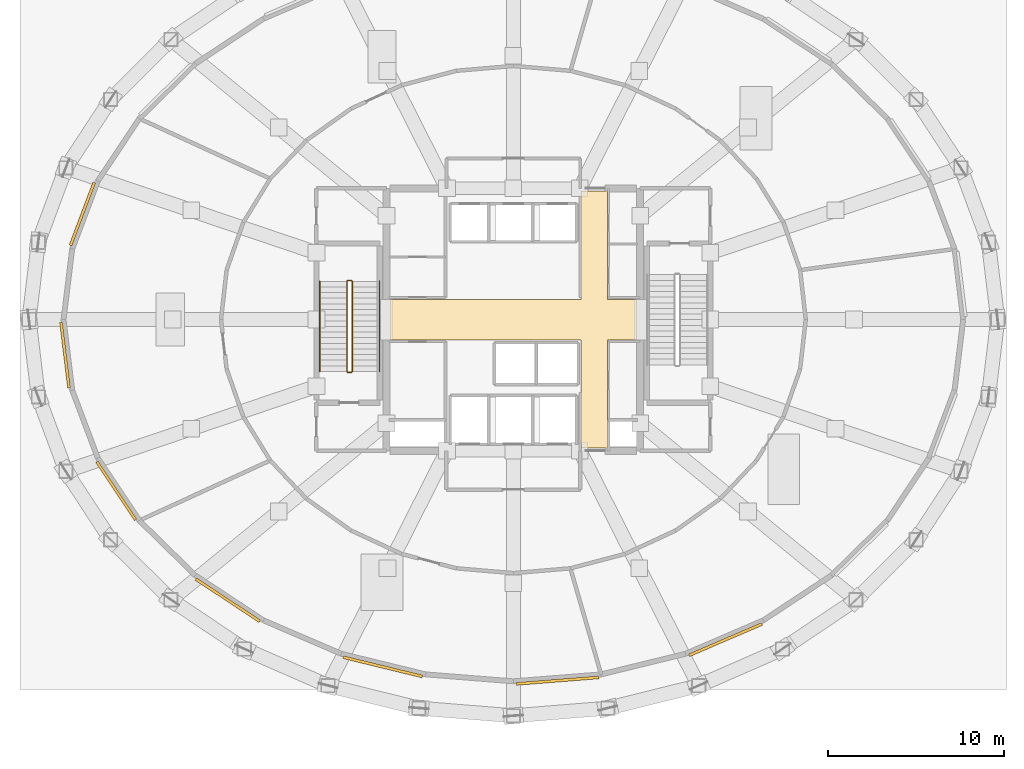
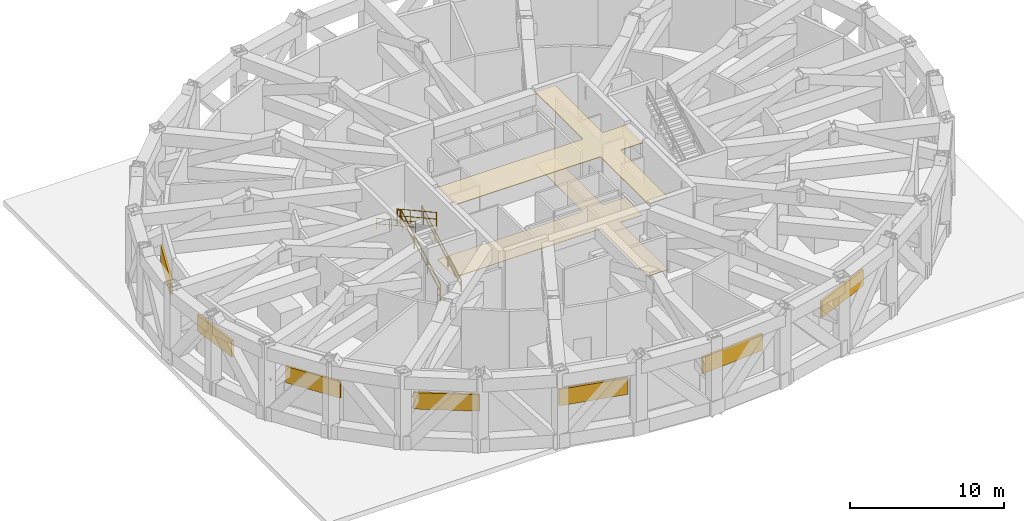
# One storey, part 9 of 12: 7 shading devices, 6 railings, 2 coverings.
"""IFC4 building model written with IfcOpenShell, lengths in metres."""

from ifc_helpers import new_model, si_unit, direction, frame, origin, origin_2d, place, context, subcontext, project, spatial, polyline, rectangle, circle, outline, extrude, material, layer, layer_set, type_object, element, save


model = new_model("IFC4")

# Units and contexts
model_context = context("Model", 3, precision=1e-05, world=origin(), true_north=direction((0.0, 1.0)))
body_context = subcontext(model_context, "Body", "Model", "MODEL_VIEW")
ifc_project = project(units=[si_unit("LENGTHUNIT", "METRE"), si_unit("AREAUNIT", "SQUARE_METRE"), si_unit("VOLUMEUNIT", "CUBIC_METRE"), si_unit("PLANEANGLEUNIT", "RADIAN"), si_unit("MASSUNIT", "GRAM", prefix="KILO")], contexts=[model_context])

# Site, building, storey
site_placement = place(None, origin())
site = spatial("IfcSite", under=ifc_project, at=site_placement, CompositionType="ELEMENT")
building_placement = place(site_placement, origin())
building = spatial("IfcBuilding", under=site, at=building_placement, Name="Veldorina Hangang Commons", CompositionType="ELEMENT")
storey_placement = place(building_placement, frame((0.0, 0.0, 24.39990234375)))
storey = spatial("IfcBuildingStorey", under=building, at=storey_placement, Name="L05", CompositionType="ELEMENT", Elevation=24.39990234375)

# Coverings
ifc_material_1 = material(Name="Mineral Fibre Acoustic Tile", Category="gypsum")
ifc_layer_1 = layer(ifc_material_1, 0.0400390625)
ifc_layer_set_1 = layer_set([ifc_layer_1], Name="Mineral Fibre Acoustic Tile")
covering_type_1 = type_object("IfcCoveringType", Name="COV-CEIL-AC60", PredefinedType="CEILING", material=ifc_layer_set_1)
covering_1_placement = place(storey_placement, frame((0.0, 0.0, 5.7001953125)))
element("IfcCovering", 1, at=covering_1_placement, inside=storey, type_object=covering_type_1, Name="L05 lobby suspended acoustic ceiling", PredefinedType="CEILING", context=body_context, shape_type="SweptSolid", body=[
    extrude(outline(polyline([(25.0, 22.85009765625), (35.85009765625, 22.85009765625), (35.85009765625, 16.699951171875), (37.35009765625, 16.699951171875), (37.35009765625, 22.85009765625), (39.0, 22.85009765625), (39.0, 25.14990234375), (37.35009765625, 25.14990234375), (37.35009765625, 31.300048828125), (35.85009765625, 31.300048828125), (35.85009765625, 25.14990234375), (25.0, 25.14990234375), (25.0, 22.85009765625)])), origin(), (0.0, 0.0, 1.0), 0.039794921875),
])
ifc_material_2 = material(Name="Stone Venetian Terrazzo", Category="masonry")
ifc_layer_2 = layer(ifc_material_2, 0.030029296875)
ifc_layer_set_2 = layer_set([ifc_layer_2], Name="Stone Venetian Terrazzo")
covering_type_2 = type_object("IfcCoveringType", Name="COV-FLR-TERZ", PredefinedType="FLOORING", material=ifc_layer_set_2)
covering_2_placement = place(storey_placement, origin())
element("IfcCovering", 2, at=covering_2_placement, inside=storey, type_object=covering_type_2, Name="L05 lobby terrazzo floor finish", PredefinedType="FLOORING", context=body_context, shape_type="SweptSolid", body=[
    extrude(outline(polyline([(25.0, 22.85009765625), (35.85009765625, 22.85009765625), (35.85009765625, 16.699951171875), (37.35009765625, 16.699951171875), (37.35009765625, 22.85009765625), (39.0, 22.85009765625), (39.0, 25.14990234375), (37.35009765625, 25.14990234375), (37.35009765625, 31.300048828125), (35.85009765625, 31.300048828125), (35.85009765625, 25.14990234375), (25.0, 25.14990234375), (25.0, 22.85009765625)])), origin(), (0.0, 0.0, 1.0), 0.030029296875),
])

# Shading devices
ifc_material_3 = material(Name="Bronze Perforated Anodized", Category="metal")
ifc_layer_3 = layer(ifc_material_3, 0.159912109375)
ifc_layer_set_3 = layer_set([ifc_layer_3], Name="Bronze Perforated Anodized")
shading_device_type = type_object("IfcShadingDeviceType", Name="LVR-WND-4800", PredefinedType="JALOUSIE", material=ifc_layer_set_3)
shading_device_1_placement = place(storey_placement, frame((7.527587890625, 29.990234375, 1.75), z_axis=(0.0, 0.0, 1.0), x_axis=(-0.352936008096, -0.935647462557, 0.0)))
element("IfcShadingDevice", 3, at=shading_device_1_placement, inside=storey, type_object=shading_device_type, Name="L05 transfer plant acoustic louvre 14", PredefinedType="JALOUSIE", context=body_context, shape_type="SweptSolid", body=[
    extrude(rectangle(XDim=3.818115234375, YDim=0.159912109375, at=origin_2d()), origin(), (0.0, 0.0, 1.0), 1.300048828125),
])
shading_device_2_placement = place(storey_placement, frame((6.54638671875, 21.97705078125, 1.75), z_axis=(0.0, 0.0, 1.0), x_axis=(0.121540195942, -0.992586510472, 0.0)))
element("IfcShadingDevice", 4, at=shading_device_2_placement, inside=storey, type_object=shading_device_type, Name="L05 transfer plant acoustic louvre 16", PredefinedType="JALOUSIE", context=body_context, shape_type="SweptSolid", body=[
    extrude(rectangle(XDim=3.737060546875, YDim=0.159912109375, at=origin_2d()), origin(), (0.0, 0.0, 1.0), 1.300048828125),
])
shading_device_3_placement = place(storey_placement, frame((9.450927734375, 14.275634765625, 1.75), z_axis=(0.0, 0.0, 1.0), x_axis=(0.553536912995, -0.832824642979, 0.0)))
element("IfcShadingDevice", 5, at=shading_device_3_placement, inside=storey, type_object=shading_device_type, Name="L05 transfer plant acoustic louvre 18", PredefinedType="JALOUSIE", context=body_context, shape_type="SweptSolid", body=[
    extrude(rectangle(XDim=3.9638671875, YDim=0.159912109375, at=origin_2d()), origin(), (0.0, 0.0, 1.0), 1.300048828125),
])
shading_device_4_placement = place(storey_placement, frame((15.78759765625, 8.065185546875, 1.75), z_axis=(0.0, 0.0, 1.0), x_axis=(0.83459797708, -0.550859525337, 0.0)))
element("IfcShadingDevice", 6, at=shading_device_4_placement, inside=storey, type_object=shading_device_type, Name="L05 transfer plant acoustic louvre 20", PredefinedType="JALOUSIE", context=body_context, shape_type="SweptSolid", body=[
    extrude(rectangle(XDim=4.337158203125, YDim=0.159912109375, at=origin_2d()), origin(), (0.0, 0.0, 1.0), 1.300048828125),
])
shading_device_5_placement = place(storey_placement, frame((24.583984375, 4.28369140625, 1.75), z_axis=(0.0, 0.0, 1.0), x_axis=(0.971507769146, -0.237007709767, 0.0)))
element("IfcShadingDevice", 7, at=shading_device_5_placement, inside=storey, type_object=shading_device_type, Name="L05 transfer plant acoustic louvre 22", PredefinedType="JALOUSIE", context=body_context, shape_type="SweptSolid", body=[
    extrude(rectangle(XDim=4.631591796875, YDim=0.159912109375, at=origin_2d()), origin(), (0.0, 0.0, 1.0), 1.300048828125),
])
shading_device_6_placement = place(storey_placement, frame((34.50390625, 3.497802734375, 1.75), z_axis=(0.0, 0.0, 1.0), x_axis=(0.996877494321, 0.078963670862, 0.0)))
element("IfcShadingDevice", 8, at=shading_device_6_placement, inside=storey, type_object=shading_device_type, Name="L05 transfer plant acoustic louvre 24", PredefinedType="JALOUSIE", context=body_context, shape_type="SweptSolid", body=[
    extrude(rectangle(XDim=4.6982421875, YDim=0.159912109375, at=origin_2d()), origin(), (0.0, 0.0, 1.0), 1.300048828125),
])
shading_device_7_placement = place(storey_placement, frame((44.044677734375, 5.82568359375, 1.75), z_axis=(0.0, 0.0, 1.0), x_axis=(0.918715407837, 0.394920244358, 0.0)))
element("IfcShadingDevice", 9, at=shading_device_7_placement, inside=storey, type_object=shading_device_type, Name="L05 transfer plant acoustic louvre 26", PredefinedType="JALOUSIE", context=body_context, shape_type="SweptSolid", body=[
    extrude(rectangle(XDim=4.50634765625, YDim=0.159912109375, at=origin_2d()), origin(), (0.0, 0.0, 1.0), 1.300048828125),
])

# Railings
ifc_material_4 = material(Name="Steel Painted Balustrade", Category="steel")
railing_type_1 = type_object("IfcRailingType", Name="RL-GRD-STAIR", PredefinedType="GUARDRAIL", material=ifc_material_4)
railing_1_placement = place(storey_placement, frame((22.85009765625, 21.050048828125, 0.176513671875)))
element("IfcRailing", 10, at=railing_1_placement, inside=storey, type_object=railing_type_1, Name="L05 ST-1 stair guard 1", PredefinedType="GUARDRAIL", context=body_context, shape_type="SweptSolid", body=[
    extrude(circle(Radius=0.02392578125, at=origin_2d()), frame((0.0, 0.0, 1.076171875), z_axis=(0.0, 0.875669630806, 0.482910651865), x_axis=(-1.0, 0.0, 0.0)), (0.0, 0.0, 1.0), 5.846923828125),
    extrude(circle(Radius=0.02392578125, at=origin_2d()), frame((0.0, 0.0, 0.550048828125), z_axis=(0.0, 0.875669630806, 0.482910651865), x_axis=(-1.0, 0.0, 0.0)), (0.0, 0.0, 1.0), 5.846923828125),
    extrude(circle(Radius=0.02099609375, at=origin_2d()), origin(), (0.0, 0.0, 1.0), 1.052001953125),
    extrude(circle(Radius=0.02099609375, at=origin_2d()), frame((0.0, 1.70654296875, 0.941162109375)), (0.0, 0.0, 1.0), 1.052001953125),
    extrude(circle(Radius=0.02099609375, at=origin_2d()), frame((0.0, 3.413330078125, 1.88232421875)), (0.0, 0.0, 1.0), 1.052001953125),
    extrude(circle(Radius=0.02099609375, at=origin_2d()), frame((0.0, 5.119873046875, 2.823486328125)), (0.0, 0.0, 1.0), 1.052001953125),
])
railing_2_placement = place(storey_placement, frame((22.800048828125, 26.219970703125, 3.0)))
element("IfcRailing", 11, at=railing_2_placement, inside=storey, type_object=railing_type_1, Name="L05 ST-1 stair guard 2", PredefinedType="GUARDRAIL", context=body_context, shape_type="SweptSolid", body=[
    extrude(circle(Radius=0.02392578125, at=origin_2d()), frame((0.0, 0.0, 1.076171875), z_axis=(-1.0, 0.0, 0.0), x_axis=(0.0, -1.0, 0.0)), (0.0, 0.0, 1.0), 0.199951171875),
    extrude(circle(Radius=0.02392578125, at=origin_2d()), frame((0.0, 0.0, 0.550048828125), z_axis=(-1.0, 0.0, 0.0), x_axis=(0.0, -1.0, 0.0)), (0.0, 0.0, 1.0), 0.199951171875),
    extrude(circle(Radius=0.02099609375, at=origin_2d()), origin(), (0.0, 0.0, 1.0), 1.052001953125),
    extrude(circle(Radius=0.02099609375, at=origin_2d()), frame((-0.199951171875, 0.0, 0.0)), (0.0, 0.0, 1.0), 1.052001953125),
])
railing_3_placement = place(storey_placement, frame((22.550048828125, 26.169921875, 3.176513671875)))
element("IfcRailing", 12, at=railing_3_placement, inside=storey, type_object=railing_type_1, Name="L05 ST-1 stair guard 3", PredefinedType="GUARDRAIL", context=body_context, shape_type="SweptSolid", body=[
    extrude(circle(Radius=0.02392578125, at=origin_2d()), frame((0.0, 0.0, 1.076171875), z_axis=(0.0, -0.875669630806, 0.482910651865), x_axis=(1.0, 0.0, 0.0)), (0.0, 0.0, 1.0), 5.846923828125),
    extrude(circle(Radius=0.02392578125, at=origin_2d()), frame((0.0, 0.0, 0.550048828125), z_axis=(0.0, -0.875669630806, 0.482910651865), x_axis=(1.0, 0.0, 0.0)), (0.0, 0.0, 1.0), 5.846923828125),
    extrude(circle(Radius=0.02099609375, at=origin_2d()), origin(), (0.0, 0.0, 1.0), 1.052001953125),
    extrude(circle(Radius=0.02099609375, at=origin_2d()), frame((0.0, -1.70654296875, 0.941162109375)), (0.0, 0.0, 1.0), 1.052001953125),
    extrude(circle(Radius=0.02099609375, at=origin_2d()), frame((0.0, -3.413330078125, 1.88232421875)), (0.0, 0.0, 1.0), 1.052001953125),
    extrude(circle(Radius=0.02099609375, at=origin_2d()), frame((0.0, -5.119873046875, 2.823486328125)), (0.0, 0.0, 1.0), 1.052001953125),
])
railing_4_placement = place(storey_placement, frame((22.800048828125, 21.0, 0.0)))
element("IfcRailing", 13, at=railing_4_placement, inside=storey, type_object=railing_type_1, Name="L05 ST-1 stair guard 4", PredefinedType="GUARDRAIL", context=body_context, shape_type="SweptSolid", body=[
    extrude(circle(Radius=0.02392578125, at=origin_2d()), frame((0.0, 0.0, 1.076171875), z_axis=(-1.0, 0.0, 0.0), x_axis=(0.0, -1.0, 0.0)), (0.0, 0.0, 1.0), 0.199951171875),
    extrude(circle(Radius=0.02392578125, at=origin_2d()), frame((0.0, 0.0, 0.550048828125), z_axis=(-1.0, 0.0, 0.0), x_axis=(0.0, -1.0, 0.0)), (0.0, 0.0, 1.0), 0.199951171875),
    extrude(circle(Radius=0.02099609375, at=origin_2d()), origin(), (0.0, 0.0, 1.0), 1.052001953125),
    extrude(circle(Radius=0.02099609375, at=origin_2d()), frame((-0.199951171875, 0.0, 0.0)), (0.0, 0.0, 1.0), 1.052001953125),
])
ifc_material_5 = material(Name="Stainless Steel Brushed 316", Category="steel")
railing_type_2 = type_object("IfcRailingType", Name="RL-HND-STAIR", PredefinedType="HANDRAIL", material=ifc_material_5)
railing_5_placement = place(storey_placement, frame((24.39990234375, 21.050048828125, 0.176513671875)))
element("IfcRailing", 14, at=railing_5_placement, inside=storey, type_object=railing_type_2, Name="L05 ST-1 stair handrail 1", PredefinedType="HANDRAIL", context=body_context, shape_type="SweptSolid", body=[
    extrude(circle(Radius=0.02392578125, at=origin_2d()), frame((0.0, 0.0, 0.8759765625), z_axis=(0.0, 0.875669630806, 0.482910651865), x_axis=(-1.0, 0.0, 0.0)), (0.0, 0.0, 1.0), 5.846923828125),
    extrude(circle(Radius=0.02392578125, at=origin_2d()), frame((0.0, 0.0, 0.449951171875), z_axis=(0.0, 0.875669630806, 0.482910651865), x_axis=(-1.0, 0.0, 0.0)), (0.0, 0.0, 1.0), 5.846923828125),
    extrude(circle(Radius=0.02099609375, at=origin_2d()), origin(), (0.0, 0.0, 1.0), 0.851806640625),
    extrude(circle(Radius=0.02099609375, at=origin_2d()), frame((0.0, 1.70654296875, 0.941162109375)), (0.0, 0.0, 1.0), 0.851806640625),
    extrude(circle(Radius=0.02099609375, at=origin_2d()), frame((0.0, 3.413330078125, 1.88232421875)), (0.0, 0.0, 1.0), 0.851806640625),
    extrude(circle(Radius=0.02099609375, at=origin_2d()), frame((0.0, 5.119873046875, 2.823486328125)), (0.0, 0.0, 1.0), 0.851806640625),
])
railing_6_placement = place(storey_placement, frame((21.0, 26.169921875, 3.176513671875)))
element("IfcRailing", 15, at=railing_6_placement, inside=storey, type_object=railing_type_2, Name="L05 ST-1 stair handrail 2", PredefinedType="HANDRAIL", context=body_context, shape_type="SweptSolid", body=[
    extrude(circle(Radius=0.02392578125, at=origin_2d()), frame((0.0, 0.0, 0.8759765625), z_axis=(0.0, -0.875669630806, 0.482910651865), x_axis=(1.0, 0.0, 0.0)), (0.0, 0.0, 1.0), 5.846923828125),
    extrude(circle(Radius=0.02392578125, at=origin_2d()), frame((0.0, 0.0, 0.449951171875), z_axis=(0.0, -0.875669630806, 0.482910651865), x_axis=(1.0, 0.0, 0.0)), (0.0, 0.0, 1.0), 5.846923828125),
    extrude(circle(Radius=0.02099609375, at=origin_2d()), origin(), (0.0, 0.0, 1.0), 0.851806640625),
    extrude(circle(Radius=0.02099609375, at=origin_2d()), frame((0.0, -1.70654296875, 0.941162109375)), (0.0, 0.0, 1.0), 0.851806640625),
    extrude(circle(Radius=0.02099609375, at=origin_2d()), frame((0.0, -3.413330078125, 1.88232421875)), (0.0, 0.0, 1.0), 0.851806640625),
    extrude(circle(Radius=0.02099609375, at=origin_2d()), frame((0.0, -5.119873046875, 2.823486328125)), (0.0, 0.0, 1.0), 0.851806640625),
])

save(model, "model.ifc")
